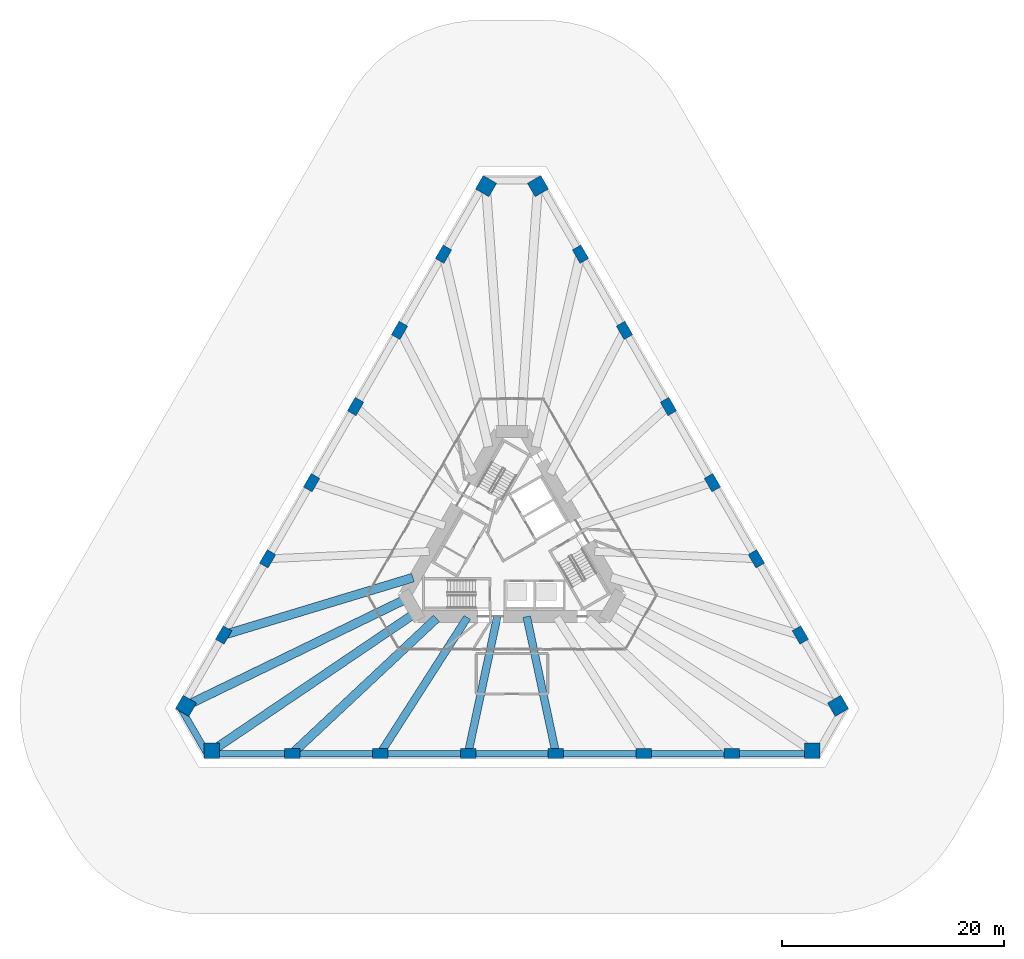
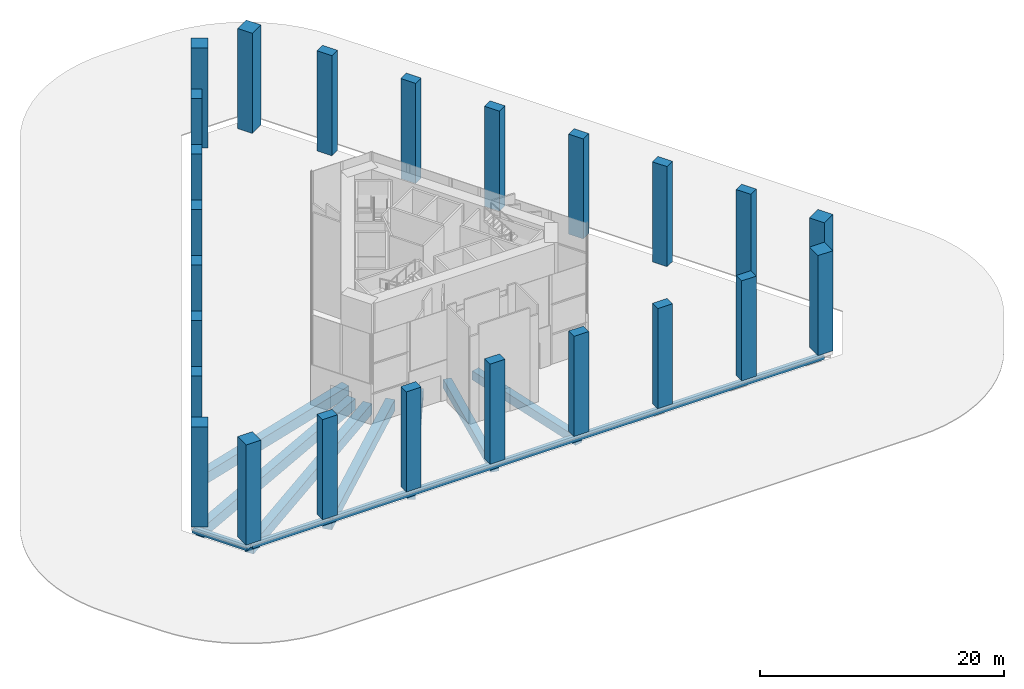
# One storey, part 1 of 13: 24 columns, 9 beams.
"""IFC4 building model written with IfcOpenShell, lengths in metres."""

from ifc_helpers import new_model, si_unit, direction, frame, origin, origin_2d, place, context, subcontext, project, spatial, rectangle, extrude, material, material_profile, profile_set, type_object, element, save


model = new_model("IFC4")

# Units and contexts
model_context = context("Model", 3, precision=1e-05, world=origin(), true_north=direction((0.0, 1.0)))
body_context = subcontext(model_context, "Body", "Model", "MODEL_VIEW")
ifc_project = project(units=[si_unit("LENGTHUNIT", "METRE"), si_unit("AREAUNIT", "SQUARE_METRE"), si_unit("VOLUMEUNIT", "CUBIC_METRE"), si_unit("PLANEANGLEUNIT", "RADIAN"), si_unit("MASSUNIT", "GRAM", prefix="KILO")], contexts=[model_context])

# Site, building, storey
site_placement = place(None, origin())
site = spatial("IfcSite", under=ifc_project, at=site_placement, CompositionType="ELEMENT")
building_placement = place(site_placement, origin())
building = spatial("IfcBuilding", under=site, at=building_placement, Name="Tramontana Tower", CompositionType="ELEMENT")
storey_placement = place(building_placement, origin())
storey = spatial("IfcBuildingStorey", under=building, at=storey_placement, Name="L00", CompositionType="ELEMENT", Elevation=0.0)

# Columns
ifc_material_1 = material(Name="Concrete 70 MPa", Category="concrete")
ifc_material_profile_1 = material_profile(ifc_material_1, rectangle(XDim=1.39990234375, YDim=1.39990234375, at=origin_2d()), Name="Mega column 1400X1400 70 MPa")
ifc_profile_set_1 = profile_set([ifc_material_profile_1], Name="Concrete 70 MPa")
column_type_1 = type_object("IfcColumnType", Name="Mega column 1400X1400 70 MPa", PredefinedType="COLUMN", material=ifc_profile_set_1)
for number, where, z_axis, x_axis, name in (
    (1, (-2.341796875, 32.543701171875, 0.0), (0.0, 0.0, 1.0), (-0.5, -0.866025403784, 0.0), "Mega column C0K1 L00"),
    (2, (-29.354736328125, -14.243896484375, 0.0), (0.0, 0.0, 1.0), (-0.5, -0.866025403784, 0.0), "Mega column C0K2 L00"),
    (3, (-27.0126953125, -18.300048828125, 0.0), (0.0, 0.0, 1.0), (1.0, 0.0, 0.0), "Mega column C0K3 L00"),
    (4, (27.0126953125, -18.300048828125, 0.0), (0.0, 0.0, 1.0), (1.0, 0.0, 0.0), "Mega column C0K4 L00"),
    (5, (29.354736328125, -14.243896484375, 0.0), (0.0, 0.0, 1.0), (-0.5, 0.866025403784, 0.0), "Mega column C0K5 L00"),
    (6, (2.341796875, 32.543701171875, 0.0), (0.0, 0.0, 1.0), (-0.5, 0.866025403784, 0.0), "Mega column C0K6 L00"),
):
    element("IfcColumn", number, at=place(storey_placement, frame(where, z_axis=z_axis, x_axis=x_axis)), inside=storey, type_object=column_type_1, Name=name, PredefinedType="COLUMN", context=body_context, shape_type="SweptSolid", body=[
        extrude(rectangle(XDim=1.39990234375, YDim=1.39990234375, at=origin_2d()), origin(), (0.0, 0.0, 1.0), 10.0),
    ])
ifc_material_2 = material(Name="Concrete 55 MPa", Category="concrete")
ifc_material_profile_2 = material_profile(ifc_material_2, rectangle(XDim=1.39990234375, YDim=0.89990234375, at=origin_2d()), Name="Pier column 1400X900 55 MPa")
ifc_profile_set_2 = profile_set([ifc_material_profile_2], Name="Concrete 55 MPa")
column_type_2 = type_object("IfcColumnType", Name="Pier column 1400X900 55 MPa", PredefinedType="COLUMN", material=ifc_profile_set_2)
for number, where, z_axis, x_axis, name in (
    (7, (-6.167236328125, 26.41796875, 0.0), (0.0, 0.0, 1.0), (-0.5, -0.866025403784, 0.0), "Pier column C0F01 L00"),
    (8, (-10.126220703125, 19.560791015625, 0.0), (0.0, 0.0, 1.0), (-0.5, -0.866025403784, 0.0), "Pier column C0F02 L00"),
    (9, (-14.085205078125, 12.70361328125, 0.0), (0.0, 0.0, 1.0), (-0.5, -0.866025403784, 0.0), "Pier column C0F03 L00"),
    (10, (-18.044189453125, 5.846435546875, 0.0), (0.0, 0.0, 1.0), (-0.5, -0.866025403784, 0.0), "Pier column C0F04 L00"),
    (11, (-22.003173828125, -1.0107421875, 0.0), (0.0, 0.0, 1.0), (-0.5, -0.866025403784, 0.0), "Pier column C0F05 L00"),
    (12, (-25.962158203125, -7.867919921875, 0.0), (0.0, 0.0, 1.0), (-0.5, -0.866025403784, 0.0), "Pier column C0F06 L00"),
    (13, (-19.794921875, -18.550048828125, 0.0), (0.0, 0.0, 1.0), (1.0, 0.0, 0.0), "Pier column C0F07 L00"),
    (14, (-11.876953125, -18.550048828125, 0.0), (0.0, 0.0, 1.0), (1.0, 0.0, 0.0), "Pier column C0F08 L00"),
    (15, (-3.958984375, -18.550048828125, 0.0), (0.0, 0.0, 1.0), (1.0, 0.0, 0.0), "Pier column C0F09 L00"),
    (16, (3.958984375, -18.550048828125, 0.0), (0.0, 0.0, 1.0), (1.0, 0.0, 0.0), "Pier column C0F10 L00"),
    (17, (11.876953125, -18.550048828125, 0.0), (0.0, 0.0, 1.0), (1.0, 0.0, 0.0), "Pier column C0F11 L00"),
    (18, (19.794921875, -18.550048828125, 0.0), (0.0, 0.0, 1.0), (1.0, 0.0, 0.0), "Pier column C0F12 L00"),
    (19, (25.962158203125, -7.867919921875, 0.0), (0.0, 0.0, 1.0), (-0.5, 0.866025403784, 0.0), "Pier column C0F13 L00"),
    (20, (22.003173828125, -1.0107421875, 0.0), (0.0, 0.0, 1.0), (-0.5, 0.866025403784, 0.0), "Pier column C0F14 L00"),
    (21, (18.044189453125, 5.846435546875, 0.0), (0.0, 0.0, 1.0), (-0.5, 0.866025403784, 0.0), "Pier column C0F15 L00"),
    (22, (14.085205078125, 12.70361328125, 0.0), (0.0, 0.0, 1.0), (-0.5, 0.866025403784, 0.0), "Pier column C0F16 L00"),
    (23, (10.126220703125, 19.560791015625, 0.0), (0.0, 0.0, 1.0), (-0.5, 0.866025403784, 0.0), "Pier column C0F17 L00"),
    (24, (6.167236328125, 26.41796875, 0.0), (0.0, 0.0, 1.0), (-0.5, 0.866025403784, 0.0), "Pier column C0F18 L00"),
):
    element("IfcColumn", number, at=place(storey_placement, frame(where, z_axis=z_axis, x_axis=x_axis)), inside=storey, type_object=column_type_2, Name=name, PredefinedType="COLUMN", context=body_context, shape_type="SweptSolid", body=[
        extrude(rectangle(XDim=1.39990234375, YDim=0.89990234375, at=origin_2d()), origin(), (0.0, 0.0, 1.0), 10.0),
    ])

# Beams
ifc_material_3 = material(Name="Concrete 40 MPa", Category="concrete")
ifc_material_profile_3 = material_profile(ifc_material_3, rectangle(XDim=0.60009765625, YDim=0.35009765625, at=origin_2d()), Name="RC EDGE BEAM 600X350 40 MPa")
ifc_profile_set_3 = profile_set([ifc_material_profile_3], Name="Concrete 40 MPa")
beam_type_1 = type_object("IfcBeamType", Name="RC EDGE BEAM 600X350 40 MPa", PredefinedType="SPANDREL", material=ifc_profile_set_3)
beam_1_placement = place(storey_placement, frame((-27.0126953125, -18.550048828125, -0.52490234375), z_axis=(1.0, 0.0, 0.0), x_axis=(0.0, 1.0, 0.0)))
element("IfcBeam", 25, at=beam_1_placement, inside=storey, type_object=beam_type_1, Name="Spandrel beam S1 L00", PredefinedType="SPANDREL", context=body_context, shape_type="SweptSolid", body=[
    extrude(rectangle(XDim=0.60009765625, YDim=0.35009765625, at=origin_2d()), origin(), (0.0, 0.0, 1.0), 54.025390625),
])
beam_2_placement = place(storey_placement, frame((-29.921142578125, -14.27490234375, -0.52490234375), z_axis=(0.50000986103, -0.866019710441, 0.0), x_axis=(0.866019710441, 0.50000986103, 0.0)))
element("IfcBeam", 26, at=beam_2_placement, inside=storey, type_object=beam_type_1, Name="Spandrel beam K1 L00", PredefinedType="SPANDREL", context=body_context, shape_type="SweptSolid", body=[
    extrude(rectangle(XDim=0.60009765625, YDim=0.35009765625, at=origin_2d()), origin(), (0.0, 0.0, 1.0), 5.1962890625),
])
ifc_material_4 = material(Name="Concrete 40 MPa", Category="concrete")
ifc_material_profile_4 = material_profile(ifc_material_4, rectangle(XDim=0.699951171875, YDim=0.89990234375, at=origin_2d()), Name="RC GIRDER 700X900 40 MPa")
ifc_profile_set_4 = profile_set([ifc_material_profile_4], Name="Concrete 40 MPa")
beam_type_2 = type_object("IfcBeamType", Name="RC GIRDER 700X900 40 MPa", PredefinedType="BEAM", material=ifc_profile_set_4)
beam_3_placement = place(storey_placement, frame((-11.876953125, -18.550048828125, -0.800048828125), z_axis=(0.539217827497, 0.84216633423, 0.0), x_axis=(-0.84216633423, 0.539217827497, 0.0)))
element("IfcBeam", 27, at=beam_3_placement, inside=storey, type_object=beam_type_2, Name="Radial girder C0F08 L00", PredefinedType="BEAM", context=body_context, shape_type="SweptSolid", body=[
    extrude(rectangle(XDim=0.699951171875, YDim=0.89990234375, at=origin_2d()), origin(), (0.0, 0.0, 1.0), 14.5615234375),
])
for number, where, z_axis, x_axis, name in (
    (28, (-3.958984375, -18.550048828125, -0.800048828125), (0.208730772127, 0.977973141128, 0.0), (-0.977973141128, 0.208730772127, 0.0), "Radial girder C0F09 L00"),
    (29, (3.958984375, -18.550048828125, -0.800048828125), (-0.208730772127, 0.977973141128, 0.0), (-0.977973141128, -0.208730772127, 0.0), "Radial girder C0F10 L00"),
):
    element("IfcBeam", number, at=place(storey_placement, frame(where, z_axis=z_axis, x_axis=x_axis)), inside=storey, type_object=beam_type_2, Name=name, PredefinedType="BEAM", context=body_context, shape_type="SweptSolid", body=[
        extrude(rectangle(XDim=0.699951171875, YDim=0.89990234375, at=origin_2d()), origin(), (0.0, 0.0, 1.0), 12.61572265625),
    ])
ifc_material_5 = material(Name="Concrete 40 MPa", Category="concrete")
ifc_material_profile_5 = material_profile(ifc_material_5, rectangle(XDim=0.800048828125, YDim=1.10009765625, at=origin_2d()), Name="RC GIRDER 800X1100 40 MPa")
ifc_profile_set_5 = profile_set([ifc_material_profile_5], Name="Concrete 40 MPa")
beam_type_3 = type_object("IfcBeamType", Name="RC GIRDER 800X1100 40 MPa", PredefinedType="BEAM", material=ifc_profile_set_5)
beam_4_placement = place(storey_placement, frame((-25.962158203125, -7.867919921875, -0.89990234375), z_axis=(0.95701990712, 0.290022236004, 0.0), x_axis=(-0.290022236004, 0.95701990712, 0.0)))
element("IfcBeam", 30, at=beam_4_placement, inside=storey, type_object=beam_type_3, Name="Radial girder C0F06 L00", PredefinedType="BEAM", context=body_context, shape_type="SweptSolid", body=[
    extrude(rectangle(XDim=0.800048828125, YDim=1.10009765625, at=origin_2d()), origin(), (0.0, 0.0, 1.0), 17.806640625),
])
beam_5_placement = place(storey_placement, frame((-29.354736328125, -14.243896484375, -0.89990234375), z_axis=(0.899679009302, 0.436552036098, 0.0), x_axis=(-0.436552036098, 0.899679009302, 0.0)))
element("IfcBeam", 31, at=beam_5_placement, inside=storey, type_object=beam_type_3, Name="Radial girder C0K2 L00", PredefinedType="BEAM", context=body_context, shape_type="SweptSolid", body=[
    extrude(rectangle(XDim=0.800048828125, YDim=1.10009765625, at=origin_2d()), origin(), (0.0, 0.0, 1.0), 22.149658203125),
])
beam_6_placement = place(storey_placement, frame((-27.0126953125, -18.300048828125, -0.89990234375), z_axis=(0.827898052271, 0.560878609903, 0.0), x_axis=(-0.560878609903, 0.827898052271, 0.0)))
element("IfcBeam", 32, at=beam_6_placement, inside=storey, type_object=beam_type_3, Name="Radial girder C0K3 L00", PredefinedType="BEAM", context=body_context, shape_type="SweptSolid", body=[
    extrude(rectangle(XDim=0.800048828125, YDim=1.10009765625, at=origin_2d()), origin(), (0.0, 0.0, 1.0), 22.1494140625),
])
beam_7_placement = place(storey_placement, frame((-19.794921875, -18.550048828125, -0.89990234375), z_axis=(0.72967229952, 0.683796998614, 0.0), x_axis=(-0.683796998614, 0.72967229952, 0.0)))
element("IfcBeam", 33, at=beam_7_placement, inside=storey, type_object=beam_type_3, Name="Radial girder C0F07 L00", PredefinedType="BEAM", context=body_context, shape_type="SweptSolid", body=[
    extrude(rectangle(XDim=0.800048828125, YDim=1.10009765625, at=origin_2d()), origin(), (0.0, 0.0, 1.0), 17.806884765625),
])

save(model, "model.ifc")
